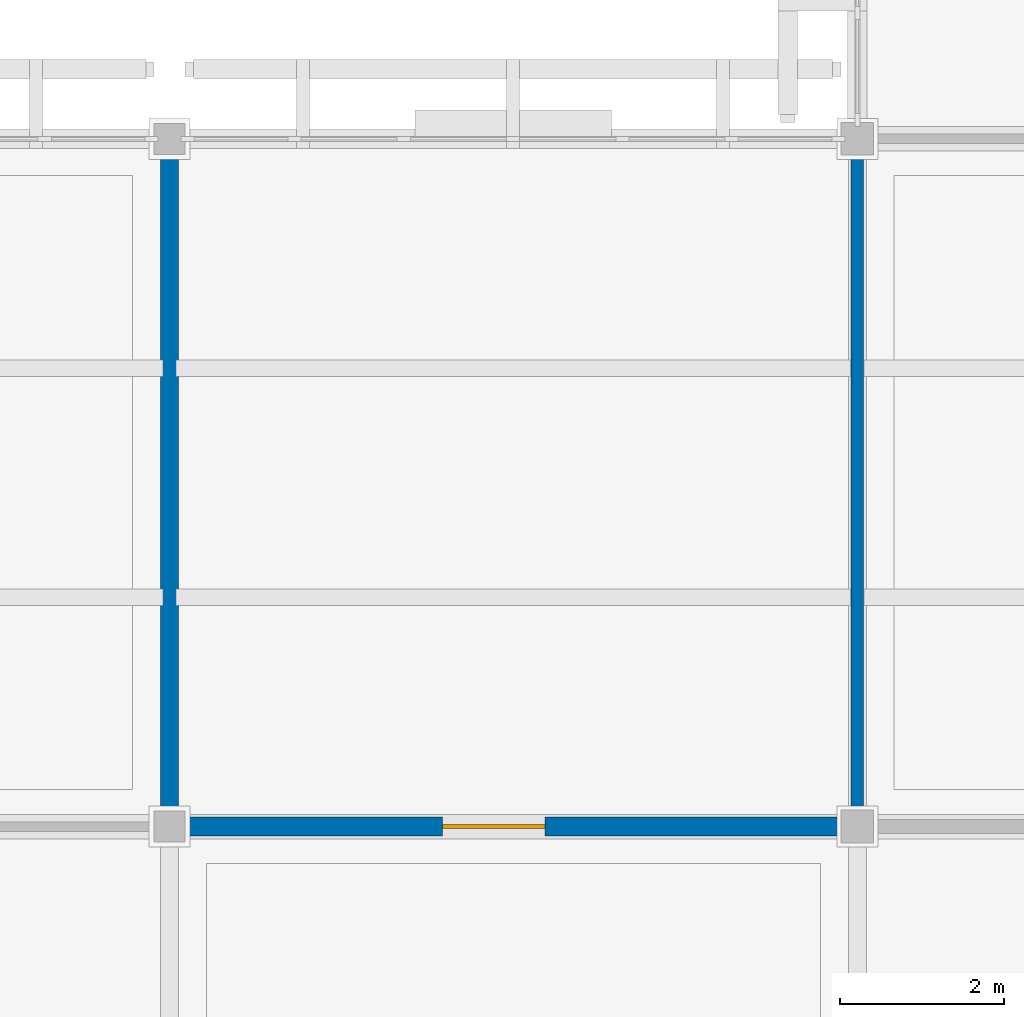
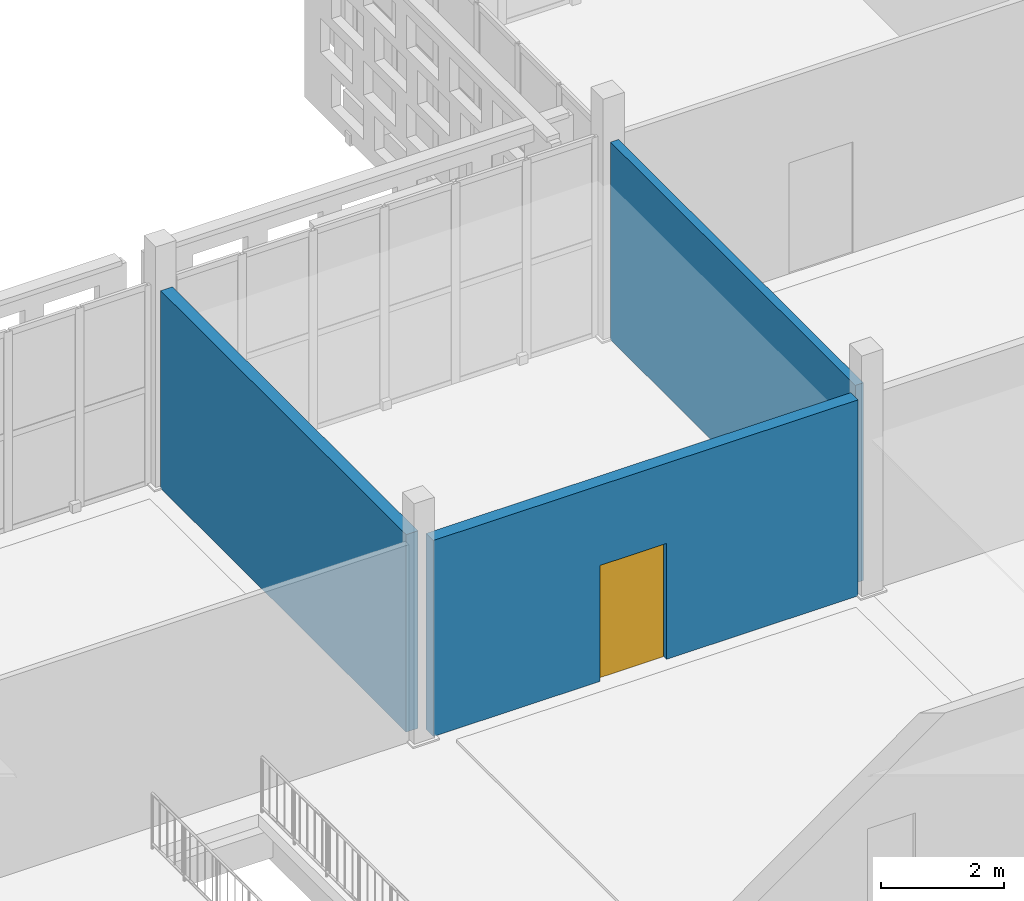
# One storey, part 118 of 203: 3 walls, 1 door, 1 opening.
"""IFC4 building model written with IfcOpenShell, lengths in metres."""

from ifc_helpers import new_model, si_unit, direction, frame, frame_2d, origin, place, context, subcontext, project, spatial, rectangle, extrude, material, layer, layer_set, type_object, element, fill, save


model = new_model("IFC4")

# Units and contexts
model_context = context("Model", 3, precision=1e-05, world=origin(), true_north=direction((0.0, 1.0)))
body_context = subcontext(model_context, "Body", "Model", "MODEL_VIEW")
ifc_project = project(units=[si_unit("LENGTHUNIT", "METRE"), si_unit("AREAUNIT", "SQUARE_METRE"), si_unit("VOLUMEUNIT", "CUBIC_METRE"), si_unit("PLANEANGLEUNIT", "RADIAN"), si_unit("MASSUNIT", "GRAM", prefix="KILO")], contexts=[model_context])

# Site, building, storey
site_placement = place(None, origin())
site = spatial("IfcSite", under=ifc_project, at=site_placement, CompositionType="ELEMENT")
building_placement = place(site_placement, origin())
building = spatial("IfcBuilding", under=site, at=building_placement, Name="Varnapada Polytechnic", CompositionType="ELEMENT")
storey_placement = place(building_placement, frame((0.0, 0.0, 4.800048828125)))
storey = spatial("IfcBuildingStorey", under=building, at=storey_placement, Name="L01", CompositionType="ELEMENT", Elevation=4.800048828125)

# Walls
ifc_material_1 = material(Name="Autoclaved Aerated Concrete Block AAC-600", Category="concrete")
ifc_layer_1 = layer(ifc_material_1, 0.14990234375)
ifc_layer_set_1 = layer_set([ifc_layer_1], Name="Autoclaved Aerated Concrete Block AAC-600")
wall_type_1 = type_object("IfcWallType", Name="Interior Wall IW-02", PredefinedType="PARTITIONING", material=ifc_layer_set_1)
wall_1_placement = place(storey_placement, frame((126.0, 33.820068359375, 0.0), z_axis=(0.0, 0.0, 1.0), x_axis=(0.0, 1.0, 0.0)))
element("IfcWall", 1, at=wall_1_placement, inside=storey, type_object=wall_type_1, Name="L01 interior partition IW-L01-14-04-V", PredefinedType="PARTITIONING", context=body_context, shape_type="SweptSolid", body=[
    extrude(rectangle(XDim=7.9599609375, YDim=0.14990234375, at=frame_2d((3.97998046875, 0.0))), origin(), (0.0, 0.0, 1.0), 3.919921875),
])
ifc_material_2 = material(Name="Heavy Acoustic Auditorium Baffle Wall")
ifc_layer_2 = layer(ifc_material_2, 0.219970703125)
ifc_layer_set_2 = layer_set([ifc_layer_2], Name="Heavy Acoustic Auditorium Baffle Wall")
wall_type_2 = type_object("IfcWallType", Name="Interior Wall IW-13", PredefinedType="PARTITIONING", material=ifc_layer_set_2)
wall_2_placement = place(storey_placement, frame((117.60009765625, 33.81005859375, 0.0), z_axis=(0.0, 0.0, 1.0), x_axis=(0.0, 1.0, 0.0)))
element("IfcWall", 2, at=wall_2_placement, inside=storey, type_object=wall_type_2, Name="L01 interior partition IW-L01-13-04-V", PredefinedType="PARTITIONING", context=body_context, shape_type="SweptSolid", body=[
    extrude(rectangle(XDim=7.97998046875, YDim=0.219970703125, at=frame_2d((3.989990234375, 0.0))), origin(), (0.0, 0.0, 1.0), 3.919921875),
])

# Wall, opening, door
ifc_material_3 = material(Name="Double-Leaf Acoustic Lecture Wall")
ifc_layer_3 = layer(ifc_material_3, 0.235107421875)
ifc_layer_set_3 = layer_set([ifc_layer_3], Name="Double-Leaf Acoustic Lecture Wall")
wall_type_3 = type_object("IfcWallType", Name="Interior Wall IW-17", PredefinedType="PARTITIONING", material=ifc_layer_set_3)
wall_3_placement = place(storey_placement, frame((117.81005859375, 33.60009765625, 0.0), z_axis=(0.0, 0.0, 1.0), x_axis=(1.0, 0.0, 0.0)))
wall_3 = element("IfcWall", 3, at=wall_3_placement, inside=storey, type_object=wall_type_3, Name="L01 interior partition IW-L01-14-03-H", PredefinedType="PARTITIONING", context=body_context, shape_type="SweptSolid", body=[
    extrude(rectangle(XDim=7.969970703125, YDim=0.235107421875, at=frame_2d((3.98486328125, 0.0))), origin(), (0.0, 0.0, 1.0), 3.889892578125),
])
opening_placement = place(wall_3_placement, frame((3.125, 0.0, 0.0)))
opening = element("IfcOpeningElement", 4, at=opening_placement, cuts=wall_3, Name="Opening D-1034", PredefinedType="OPENING", context=body_context, shape_type="SweptSolid", body=[
    extrude(rectangle(XDim=1.25, YDim=2.300048828125, at=frame_2d((0.625, 1.14990234375))), frame((0.0, 0.12744140625, 0.0), z_axis=(0.0, -1.0, 0.0), x_axis=(1.0, 0.0, 0.0)), (0.0, 0.0, 1.0), 0.255126953125),
])
ifc_material_4 = material(Name="Solid Teak Hardwood Timber", Category="wood")
door_type = type_object("IfcDoorType", Name="Interior Door ID-16", OperationType="NOTDEFINED", PredefinedType="DOOR", material=ifc_material_4)
door_placement = place(opening_placement, frame((1.25, 0.0, 0.0), z_axis=(0.0, 0.0, 1.0), x_axis=(-1.0, 0.0, 0.0)))
door = element("IfcDoor", 5, at=door_placement, inside=storey, type_object=door_type, Name="L01 interior room door D-1034", OperationType="SINGLE_SWING_LEFT", OverallHeight=2.300048828125, OverallWidth=1.25, PredefinedType="DOOR", context=body_context, shape_type="SweptSolid", body=[
    extrude(rectangle(XDim=1.25, YDim=2.300048828125, at=frame_2d((0.625, 1.14990234375))), frame((0.0, 0.02490234375, 0.0), z_axis=(0.0, -1.0, 0.0), x_axis=(1.0, 0.0, 0.0)), (0.0, 0.0, 1.0), 0.050048828125),
])
fill(opening, door)

save(model, "model.ifc")
